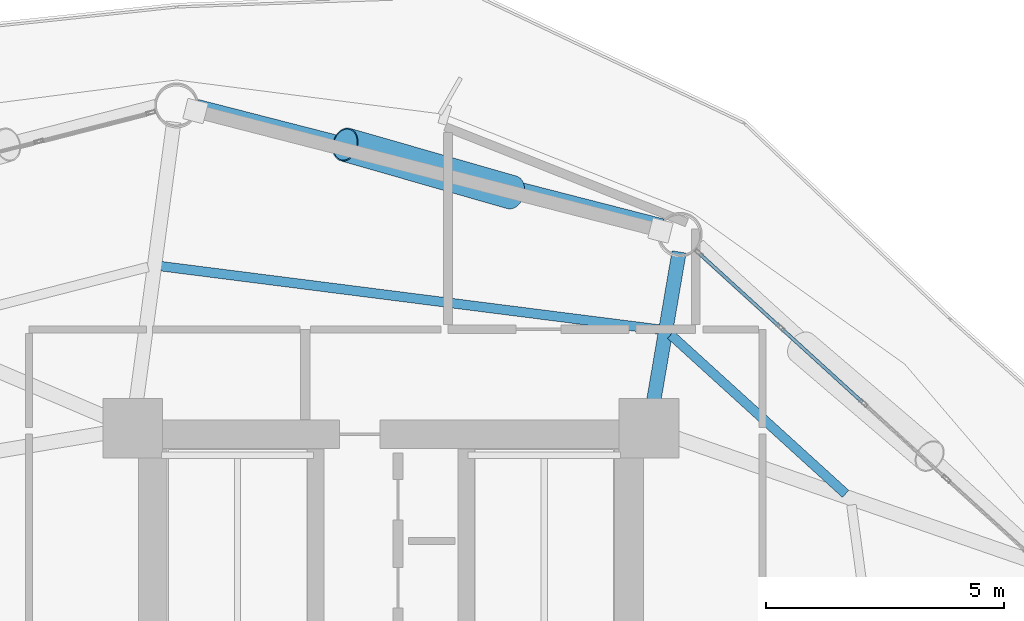
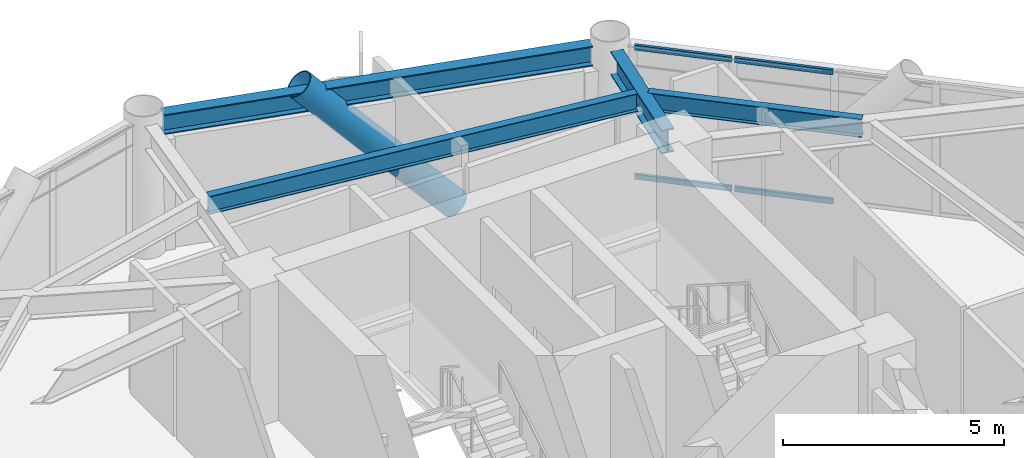
# One storey, part 17 of 25: 5 members, 4 beams, 1 element without a shape of its own.
"""IFC4 building model written with IfcOpenShell, lengths in metres."""

from ifc_helpers import new_model, si_unit, direction, frame, origin, origin_2d, place, context, subcontext, project, spatial, hollow_rectangle, hollow_circle, i_section, extrude, material, layer, layer_set, material_profile, profile_set, type_object, element, aggregate, save


model = new_model("IFC4")

# Units and contexts
model_context = context("Model", 3, precision=1e-05, world=origin(), true_north=direction((0.0, 1.0)))
body_context = subcontext(model_context, "Body", "Model", "MODEL_VIEW")
ifc_project = project(units=[si_unit("LENGTHUNIT", "METRE"), si_unit("AREAUNIT", "SQUARE_METRE"), si_unit("VOLUMEUNIT", "CUBIC_METRE"), si_unit("PLANEANGLEUNIT", "RADIAN"), si_unit("MASSUNIT", "GRAM", prefix="KILO")], contexts=[model_context])

# Site, building, storey
site_placement = place(None, origin())
site = spatial("IfcSite", under=ifc_project, at=site_placement, CompositionType="ELEMENT")
building_placement = place(site_placement, origin())
building = spatial("IfcBuilding", under=site, at=building_placement, Name="Varnakorn Sky Granary", CompositionType="ELEMENT")
storey_placement = place(building_placement, frame((0.0, 0.0, 54.89990234375)))
storey = spatial("IfcBuildingStorey", under=building, at=storey_placement, Name="L13", CompositionType="ELEMENT", Elevation=54.89990234375)

# Beams
ifc_material_1 = material(Name="Steel S355JR", Category="steel")
ifc_material_profile_1 = material_profile(ifc_material_1, i_section(OverallWidth=0.300048828125, OverallDepth=0.64990234375, WebThickness=0.01611328125, FlangeThickness=0.031005859375, at=origin_2d()), Name="HE 650 B")
ifc_profile_set_1 = profile_set([ifc_material_profile_1], Name="Steel S355JR")
beam_type_1 = type_object("IfcBeamType", Name="BM-RAD-Z1", PredefinedType="BEAM", material=ifc_profile_set_1)
beam_1_placement = place(storey_placement, frame((8.490478515625, 13.033935546875, 3.315185546875), z_axis=(0.168202911141, 0.985752393192, 0.0), x_axis=(-0.985752393192, 0.168202911141, 0.0)))
element("IfcBeam", 1, at=beam_1_placement, inside=storey, type_object=beam_type_1, Name="Radial Floor Girder RG03 L13", PredefinedType="BEAM", context=body_context, shape_type="SweptSolid", body=[
    extrude(i_section(OverallWidth=0.300048828125, OverallDepth=0.64990234375, WebThickness=0.01611328125, FlangeThickness=0.031005859375, at=origin_2d()), origin(), (0.0, 0.0, 1.0), 3.33984375),
])
ifc_material_profile_2 = material_profile(ifc_material_1, i_section(OverallWidth=0.199951171875, OverallDepth=0.5, WebThickness=0.01025390625, FlangeThickness=0.01611328125, at=origin_2d()), Name="IPE 500")
ifc_profile_set_2 = profile_set([ifc_material_profile_2], Name="Steel S355JR")
beam_type_2 = type_object("IfcBeamType", Name="BM-SEC-Z1", PredefinedType="BEAM", material=ifc_profile_set_2)
beam_2_placement = place(storey_placement, frame((12.548828125, 11.24658203125, 3.39013671875), z_axis=(-0.739989024165, 0.672618944214, 0.0), x_axis=(-0.672618944214, -0.739989024165, 0.0)))
element("IfcBeam", 2, at=beam_2_placement, inside=storey, type_object=beam_type_2, Name="Secondary Floor Chord Beam MSB02 L13", PredefinedType="BEAM", context=body_context, shape_type="SweptSolid", body=[
    extrude(i_section(OverallWidth=0.199951171875, OverallDepth=0.5, WebThickness=0.01025390625, FlangeThickness=0.01611328125, at=origin_2d()), origin(), (0.0, 0.0, 1.0), 4.964599609375),
])
beam_3_placement = place(storey_placement, frame((8.632568359375, 14.69775390625, 3.39013671875), z_axis=(-0.992022053384, 0.12606445018, 0.0), x_axis=(-0.12606445018, -0.992022053384, 0.0)))
element("IfcBeam", 3, at=beam_3_placement, inside=storey, type_object=beam_type_2, Name="Secondary Floor Chord Beam MSB03 L13", PredefinedType="BEAM", context=body_context, shape_type="SweptSolid", body=[
    extrude(i_section(OverallWidth=0.199951171875, OverallDepth=0.5, WebThickness=0.01025390625, FlangeThickness=0.01611328125, at=origin_2d()), origin(), (0.0, 0.0, 1.0), 10.5390625),
])
ifc_material_profile_3 = material_profile(ifc_material_1, i_section(OverallWidth=0.300048828125, OverallDepth=0.550048828125, WebThickness=0.014892578125, FlangeThickness=0.029052734375, at=origin_2d()), Name="HE 550 B")
ifc_profile_set_3 = profile_set([ifc_material_profile_3], Name="Steel S355JR")
beam_type_3 = type_object("IfcBeamType", Name="BM-SPD-Z1", PredefinedType="SPANDREL", material=ifc_profile_set_3)
beam_4_placement = place(storey_placement, frame((8.698486328125, 16.871826171875, 3.364990234375), z_axis=(-0.968591261457, 0.248658336337, 0.0), x_axis=(-0.248658336337, -0.968591261457, 0.0)))
element("IfcBeam", 4, at=beam_4_placement, inside=storey, type_object=beam_type_3, Name="Perimeter Spandrel Ring Beam RB03 L13", PredefinedType="SPANDREL", context=body_context, shape_type="SweptSolid", body=[
    extrude(i_section(OverallWidth=0.300048828125, OverallDepth=0.550048828125, WebThickness=0.014892578125, FlangeThickness=0.029052734375, at=origin_2d()), origin(), (0.0, 0.0, 1.0), 10.08740234375),
])

# Curtain wall, members
ifc_material_2 = material(Name="Anodised Bronze Aluminium Alloy 6063-T6", Category="aluminium")
ifc_layer = layer(ifc_material_2, 0.18994140625, Name="Anodised Bronze Aluminium Alloy 6063-T6")
ifc_layer_set = layer_set([ifc_layer], Name="Anodised Bronze Aluminium Alloy 6063-T6")
curtain_wall_type = type_object("IfcCurtainWallType", Name="CW-FRM-1", PredefinedType="USERDEFINED", material=ifc_layer_set)
curtain_wall_placement = place(storey_placement, origin())
curtain_wall = element("IfcCurtainWall", 5, at=curtain_wall_placement, inside=storey, type_object=curtain_wall_type, Name="Unitised Curtain Wall CW3 CW-L13-B02", ObjectType="CURTAIN WALL", PredefinedType="USERDEFINED")
ifc_material_profile_4 = material_profile(ifc_material_2, hollow_rectangle(XDim=0.070068359375, YDim=0.139892578125, WallThickness=0.00341796875, at=origin_2d()), Name="ALU TRAN 70x140")
ifc_profile_set_4 = profile_set([ifc_material_profile_4], Name="Anodised Bronze Aluminium Alloy 6063-T6")
member_type_1 = type_object("IfcMemberType", Name="CW-FRM-1-TRAN", PredefinedType="USERDEFINED", material=ifc_profile_set_4)
member_1_placement = place(storey_placement, frame((9.493408203125, 16.27734375, 0.03515625), z_axis=(0.738992363836, -0.673713801396, 0.0), x_axis=(0.673713801396, 0.738992363836, 0.0)))
member_1 = element("IfcMember", 6, at=member_1_placement, type_object=member_type_1, Name="CW3 transom 1.1", ObjectType="TRANSOM", PredefinedType="USERDEFINED", context=body_context, shape_type="SweptSolid", body=[
    extrude(hollow_rectangle(XDim=0.070068359375, YDim=0.139892578125, WallThickness=0.00341796875, at=origin_2d()), origin(), (0.0, 0.0, 1.0), 2.25146484375),
])
member_2_placement = place(storey_placement, frame((9.493408203125, 16.27734375, 3.60498046875), z_axis=(0.738992363836, -0.673713801396, 0.0), x_axis=(0.673713801396, 0.738992363836, 0.0)))
member_2 = element("IfcMember", 7, at=member_2_placement, type_object=member_type_1, Name="CW3 transom 1.2", ObjectType="TRANSOM", PredefinedType="USERDEFINED", context=body_context, shape_type="SweptSolid", body=[
    extrude(hollow_rectangle(XDim=0.070068359375, YDim=0.139892578125, WallThickness=0.00341796875, at=origin_2d()), origin(), (0.0, 0.0, 1.0), 2.25146484375),
])
member_3_placement = place(storey_placement, frame((11.208984375, 14.71337890625, 0.03515625), z_axis=(0.738973042279, -0.673734994478, 0.0), x_axis=(0.673734994478, 0.738973042279, 0.0)))
member_3 = element("IfcMember", 8, at=member_3_placement, type_object=member_type_1, Name="CW3 transom 2.1", ObjectType="TRANSOM", PredefinedType="USERDEFINED", context=body_context, shape_type="SweptSolid", body=[
    extrude(hollow_rectangle(XDim=0.070068359375, YDim=0.139892578125, WallThickness=0.00341796875, at=origin_2d()), origin(), (0.0, 0.0, 1.0), 2.28662109375),
])
member_4_placement = place(storey_placement, frame((11.208984375, 14.71337890625, 3.60498046875), z_axis=(0.738973042279, -0.673734994478, 0.0), x_axis=(0.673734994478, 0.738973042279, 0.0)))
member_4 = element("IfcMember", 9, at=member_4_placement, type_object=member_type_1, Name="CW3 transom 2.2", ObjectType="TRANSOM", PredefinedType="USERDEFINED", context=body_context, shape_type="SweptSolid", body=[
    extrude(hollow_rectangle(XDim=0.070068359375, YDim=0.139892578125, WallThickness=0.00341796875, at=origin_2d()), origin(), (0.0, 0.0, 1.0), 2.28662109375),
])
aggregate(curtain_wall, [member_1, member_2, member_3, member_4])

# Member
ifc_material_3 = material(Name="Steel S460M", Category="steel")
ifc_material_profile_5 = material_profile(ifc_material_3, hollow_circle(Radius=0.35546875, WallThickness=0.02490234375, at=origin_2d()), Name="CHS 711x25")
ifc_profile_set_5 = profile_set([ifc_material_profile_5], Name="Steel S460M")
member_type_2 = type_object("IfcMemberType", Name="MB-DIAG-T0", PredefinedType="BRACE", material=ifc_profile_set_5)
member_5_placement = place(storey_placement, frame((5.539794921875, 17.577392578125, -0.1298828125), z_axis=(-0.653948513729, 0.187566274111, 0.732918982021), x_axis=(-0.275704662497, -0.961242393508, 0.0)))
element("IfcMember", 10, at=member_5_placement, inside=storey, type_object=member_type_2, Name="Perimeter CHS Diagrid Brace DG03 L13", PredefinedType="BRACE", context=body_context, shape_type="SweptSolid", body=[
    extrude(hollow_circle(Radius=0.35546875, WallThickness=0.02490234375, at=origin_2d()), origin(), (0.0, 0.0, 1.0), 5.348388671875),
])

save(model, "model.ifc")
